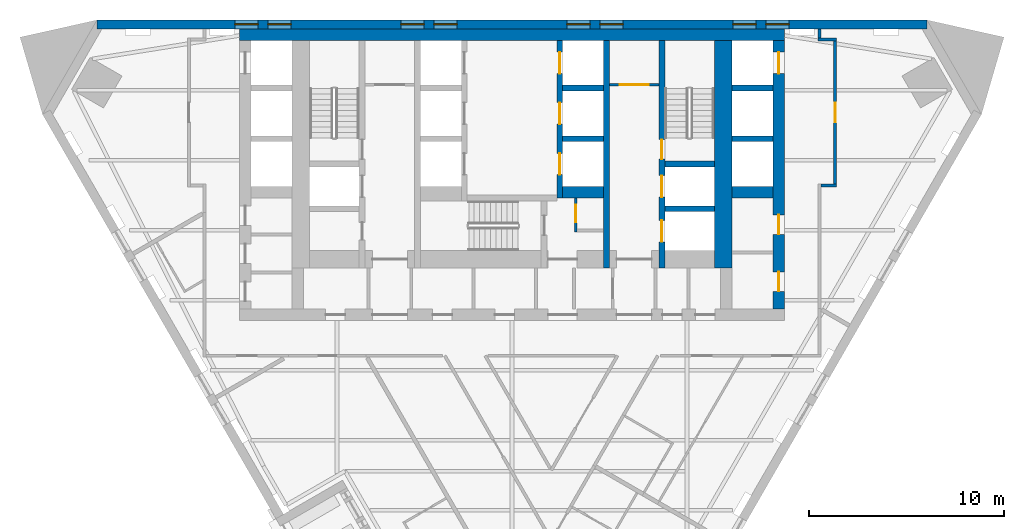
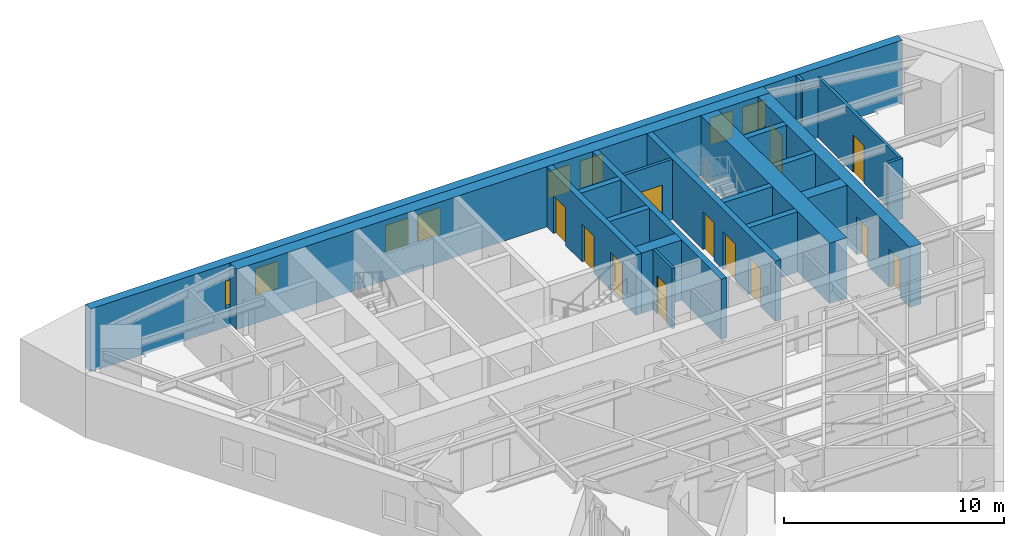
# One storey, part 6 of 9: 21 walls, 12 doors, 8 windows, 20 openings.
"""IFC4 building model written with IfcOpenShell, lengths in metres."""

from ifc_helpers import new_model, si_unit, direction, frame, frame_2d, origin, place, context, subcontext, project, spatial, polyline, rectangle, outline, extrude, material, layer, layer_set, type_object, element, fill, save


model = new_model("IFC4")

# Units and contexts
model_context = context("Model", 3, precision=1e-05, world=origin(), true_north=direction((0.0, 1.0)))
body_context = subcontext(model_context, "Body", "Model", "MODEL_VIEW")
ifc_project = project(units=[si_unit("LENGTHUNIT", "METRE"), si_unit("AREAUNIT", "SQUARE_METRE"), si_unit("VOLUMEUNIT", "CUBIC_METRE"), si_unit("PLANEANGLEUNIT", "RADIAN"), si_unit("MASSUNIT", "GRAM", prefix="KILO")], contexts=[model_context])

# Site, building, storey
site_placement = place(None, origin())
site = spatial("IfcSite", under=ifc_project, at=site_placement, CompositionType="ELEMENT")
building_placement = place(site_placement, origin())
building = spatial("IfcBuilding", under=site, at=building_placement, Name="Aloe Facet Convention Tower", CompositionType="ELEMENT")
storey_placement = place(building_placement, frame((0.0, 0.0, 99.300048828125)))
storey = spatial("IfcBuildingStorey", under=building, at=storey_placement, Name="L24", CompositionType="ELEMENT", Elevation=99.300048828125)

# Wall, opening, door
ifc_material_1 = material(Name="Concrete blockwork partition", Category="masonry")
ifc_layer_1 = layer(ifc_material_1, 0.14990234375)
ifc_layer_set_1 = layer_set([ifc_layer_1], Name="CR-W-PART150")
wall_type_1 = type_object("IfcWallType", Name="CR-W-PART150", PredefinedType="PARTITIONING", material=ifc_layer_set_1)
wall_1_placement = place(storey_placement, frame((83.27490234375, 125.85009765625, 0.0), z_axis=(0.0, 0.0, 1.0), x_axis=(0.0, -1.0, 0.0)))
wall_1 = element("IfcWall", 1, at=wall_1_placement, inside=storey, type_object=wall_type_1, Name="Core partition L24-035", PredefinedType="PARTITIONING", context=body_context, shape_type="SweptSolid", body=[
    extrude(rectangle(XDim=1.75, YDim=0.14990234375, at=frame_2d((0.875, 0.0))), origin(), (0.0, 0.0, 1.0), 3.349853515625),
])
opening_1_placement = place(wall_1_placement, frame((0.35009765625, 0.0, 0.0)))
opening_1 = element("IfcOpeningElement", 2, at=opening_1_placement, cuts=wall_1, Name="Opening L24-CD19", PredefinedType="OPENING", context=body_context, shape_type="SweptSolid", body=[
    extrude(rectangle(XDim=0.89990234375, YDim=2.10009765625, at=frame_2d((0.449951171875, 1.050048828125))), frame((0.0, 0.0849609375, 0.0), z_axis=(0.0, -1.0, 0.0), x_axis=(1.0, 0.0, 0.0)), (0.0, 0.0, 1.0), 0.169921875),
])
ifc_material_2 = material(Name="Steel fire-resisting door set FD60", Category="steel")
door_type_1 = type_object("IfcDoorType", Name="CR-D-REFUGE-900-FD60-SRIGHT", OperationType="SINGLE_SWING_RIGHT", PredefinedType="DOOR", material=ifc_material_2)
door_1_placement = place(opening_1_placement, origin())
door_1 = element("IfcDoor", 3, at=door_1_placement, inside=storey, type_object=door_type_1, Name="Core door L24-CD19", OperationType="SINGLE_SWING_RIGHT", OverallHeight=2.10009765625, OverallWidth=0.89990234375, PredefinedType="DOOR", context=body_context, shape_type="SweptSolid", body=[
    extrude(rectangle(XDim=0.89990234375, YDim=2.10009765625, at=frame_2d((0.449951171875, 1.050048828125))), frame((0.0, 0.02490234375, 0.0), z_axis=(0.0, -1.0, 0.0), x_axis=(1.0, 0.0, 0.0)), (0.0, 0.0, 1.0), 0.050048828125),
])
fill(opening_1, door_1)

wall_2_placement = place(storey_placement, frame((85.0, 131.675048828125, 0.0), z_axis=(0.0, 0.0, 1.0), x_axis=(1.0, 0.0, 0.0)))
wall_2 = element("IfcWall", 4, at=wall_2_placement, inside=storey, type_object=wall_type_1, Name="Core partition L24-038", PredefinedType="PARTITIONING", context=body_context, shape_type="SweptSolid", body=[
    extrude(rectangle(XDim=2.550048828125, YDim=0.14990234375, at=frame_2d((1.27490234375, 0.0))), origin(), (0.0, 0.0, 1.0), 3.349853515625),
])
opening_2_placement = place(wall_2_placement, frame((0.52490234375, 0.0, 0.0)))
opening_2 = element("IfcOpeningElement", 5, at=opening_2_placement, cuts=wall_2, Name="Opening L24-CD20", PredefinedType="OPENING", context=body_context, shape_type="SweptSolid", body=[
    extrude(rectangle(XDim=1.5, YDim=2.10009765625, at=frame_2d((0.75, 1.050048828125))), frame((0.0, 0.0849609375, 0.0), z_axis=(0.0, -1.0, 0.0), x_axis=(1.0, 0.0, 0.0)), (0.0, 0.0, 1.0), 0.169921875),
])
ifc_material_3 = material(Name="Steel fire-resisting door set FD60", Category="steel")
door_type_2 = type_object("IfcDoorType", Name="CR-D-REFUGE-1500-FD60-DD", OperationType="DOUBLE_DOOR_DOUBLE_SWING", PredefinedType="DOOR", material=ifc_material_3)
door_2_placement = place(opening_2_placement, origin())
door_2 = element("IfcDoor", 6, at=door_2_placement, inside=storey, type_object=door_type_2, Name="Core door L24-CD20", OperationType="DOUBLE_DOOR_DOUBLE_SWING", OverallHeight=2.10009765625, OverallWidth=1.5, PredefinedType="DOOR", context=body_context, shape_type="SweptSolid", body=[
    extrude(rectangle(XDim=1.5, YDim=2.10009765625, at=frame_2d((0.75, 1.050048828125))), frame((0.0, 0.02490234375, 0.0), z_axis=(0.0, -1.0, 0.0), x_axis=(1.0, 0.0, 0.0)), (0.0, 0.0, 1.0), 0.050048828125),
])
fill(opening_2, door_2)

# Wall, openings, doors
ifc_material_4 = material(Name="Concrete C70/85", Category="concrete")
ifc_layer_2 = layer(ifc_material_4, 0.300048828125)
ifc_layer_set_2 = layer_set([ifc_layer_2], Name="CR-W-RC300-C7085")
wall_type_2 = type_object("IfcWallType", Name="CR-W-RC300-C7085", PredefinedType="SOLIDWALL", material=ifc_layer_set_2)
wall_3_placement = place(storey_placement, frame((82.449951171875, 133.949951171875, 0.0), z_axis=(0.0, 0.0, 1.0), x_axis=(0.0, -1.0, 0.0)))
wall_3 = element("IfcWall", 7, at=wall_3_placement, inside=storey, type_object=wall_type_2, Name="Core wall L24-030", PredefinedType="SOLIDWALL", context=body_context, shape_type="SweptSolid", body=[
    extrude(rectangle(XDim=8.099853515625, YDim=0.300048828125, at=frame_2d((4.0498046875, 0.0))), origin(), (0.0, 0.0, 1.0), 3.349853515625),
])
opening_3_placement = place(wall_3_placement, frame((0.60009765625, 0.0, 0.0)))
opening_3 = element("IfcOpeningElement", 8, at=opening_3_placement, cuts=wall_3, Name="Opening LD-A4-L24", PredefinedType="OPENING", context=body_context, shape_type="SweptSolid", body=[
    extrude(rectangle(XDim=1.10009765625, YDim=2.10009765625, at=frame_2d((0.550048828125, 1.050048828125))), frame((0.0, 0.16015625, 0.0), z_axis=(0.0, -1.0, 0.0), x_axis=(1.0, 0.0, 0.0)), (0.0, 0.0, 1.0), 0.320068359375),
])
opening_4_placement = place(wall_3_placement, frame((3.199951171875, 0.0, 0.0)))
opening_4 = element("IfcOpeningElement", 9, at=opening_4_placement, cuts=wall_3, Name="Opening LD-A5-L24", PredefinedType="OPENING", context=body_context, shape_type="SweptSolid", body=[
    extrude(rectangle(XDim=1.10009765625, YDim=2.10009765625, at=frame_2d((0.550048828125, 1.050048828125))), frame((0.0, 0.16015625, 0.0), z_axis=(0.0, -1.0, 0.0), x_axis=(1.0, 0.0, 0.0)), (0.0, 0.0, 1.0), 0.320068359375),
])
opening_5_placement = place(wall_3_placement, frame((5.800048828125, 0.0, 0.0)))
opening_5 = element("IfcOpeningElement", 10, at=opening_5_placement, cuts=wall_3, Name="Opening LD-A6-L24", PredefinedType="OPENING", context=body_context, shape_type="SweptSolid", body=[
    extrude(rectangle(XDim=1.10009765625, YDim=2.10009765625, at=frame_2d((0.550048828125, 1.050048828125))), frame((0.0, 0.16015625, 0.0), z_axis=(0.0, -1.0, 0.0), x_axis=(1.0, 0.0, 0.0)), (0.0, 0.0, 1.0), 0.320068359375),
])
ifc_material_5 = material(Name="Stainless steel sliding landing door", Category="steel")
door_type_3 = type_object("IfcDoorType", Name="CR-LD-1100-FD60-_LEFT", OperationType="SLIDING_TO_LEFT", PredefinedType="DOOR", material=ifc_material_5)
door_3_placement = place(opening_3_placement, origin())
door_3 = element("IfcDoor", 11, at=door_3_placement, inside=storey, type_object=door_type_3, Name="Landing door A4 L24", OperationType="SLIDING_TO_LEFT", OverallHeight=2.10009765625, OverallWidth=1.10009765625, PredefinedType="DOOR", context=body_context, shape_type="SweptSolid", body=[
    extrude(rectangle(XDim=1.10009765625, YDim=2.10009765625, at=frame_2d((0.550048828125, 1.050048828125))), frame((0.0, 0.02490234375, 0.0), z_axis=(0.0, -1.0, 0.0), x_axis=(1.0, 0.0, 0.0)), (0.0, 0.0, 1.0), 0.050048828125),
])
fill(opening_3, door_3)
door_4_placement = place(opening_4_placement, origin())
door_4 = element("IfcDoor", 12, at=door_4_placement, inside=storey, type_object=door_type_3, Name="Landing door A5 L24", OperationType="SLIDING_TO_LEFT", OverallHeight=2.10009765625, OverallWidth=1.10009765625, PredefinedType="DOOR", context=body_context, shape_type="SweptSolid", body=[
    extrude(rectangle(XDim=1.10009765625, YDim=2.10009765625, at=frame_2d((0.550048828125, 1.050048828125))), frame((0.0, 0.02490234375, 0.0), z_axis=(0.0, -1.0, 0.0), x_axis=(1.0, 0.0, 0.0)), (0.0, 0.0, 1.0), 0.050048828125),
])
fill(opening_4, door_4)
door_5_placement = place(opening_5_placement, origin())
door_5 = element("IfcDoor", 13, at=door_5_placement, inside=storey, type_object=door_type_3, Name="Landing door A6 L24", OperationType="SLIDING_TO_LEFT", OverallHeight=2.10009765625, OverallWidth=1.10009765625, PredefinedType="DOOR", context=body_context, shape_type="SweptSolid", body=[
    extrude(rectangle(XDim=1.10009765625, YDim=2.10009765625, at=frame_2d((0.550048828125, 1.050048828125))), frame((0.0, 0.02490234375, 0.0), z_axis=(0.0, -1.0, 0.0), x_axis=(1.0, 0.0, 0.0)), (0.0, 0.0, 1.0), 0.050048828125),
])
fill(opening_5, door_5)

# Walls
for number, where, z_axis, x_axis, name in (
    (14, (82.60009765625, 131.5, 0.0), (0.0, 0.0, 1.0), (1.0, 0.0, 0.0), "Core wall L24-031"),
    (15, (82.60009765625, 128.89990234375, 0.0), (0.0, 0.0, 1.0), (1.0, 0.0, 0.0), "Core wall L24-032"),
):
    element("IfcWall", number, at=place(storey_placement, frame(where, z_axis=z_axis, x_axis=x_axis)), inside=storey, type_object=wall_type_2, Name=name, PredefinedType="SOLIDWALL", context=body_context, shape_type="SweptSolid", body=[
        extrude(rectangle(XDim=2.099853515625, YDim=0.300048828125, at=frame_2d((1.0498046875, 0.0))), origin(), (0.0, 0.0, 1.0), 3.349853515625),
    ])
wall_4_placement = place(storey_placement, frame((84.85009765625, 133.949951171875, 0.0), z_axis=(0.0, 0.0, 1.0), x_axis=(0.0, -1.0, 0.0)))
element("IfcWall", 16, at=wall_4_placement, inside=storey, type_object=wall_type_2, Name="Core wall L24-037", PredefinedType="SOLIDWALL", context=body_context, shape_type="SweptSolid", body=[
    extrude(rectangle(XDim=11.699951171875, YDim=0.300048828125, at=frame_2d((5.85009765625, 0.0))), origin(), (0.0, 0.0, 1.0), 3.349853515625),
])

# Wall, openings, doors
wall_5_placement = place(storey_placement, frame((87.699951171875, 133.949951171875, 0.0), z_axis=(0.0, 0.0, 1.0), x_axis=(0.0, -1.0, 0.0)))
wall_5 = element("IfcWall", 17, at=wall_5_placement, inside=storey, type_object=wall_type_2, Name="Core wall L24-042", PredefinedType="SOLIDWALL", context=body_context, shape_type="SweptSolid", body=[
    extrude(rectangle(XDim=11.699951171875, YDim=0.300048828125, at=frame_2d((5.85009765625, 0.0))), origin(), (0.0, 0.0, 1.0), 3.349853515625),
])
opening_6_placement = place(wall_5_placement, frame((6.949951171875, 0.0, 0.0)))
opening_6 = element("IfcOpeningElement", 18, at=opening_6_placement, cuts=wall_5, Name="Opening LD-FF2-L24", PredefinedType="OPENING", context=body_context, shape_type="SweptSolid", body=[
    extrude(rectangle(XDim=1.10009765625, YDim=2.10009765625, at=frame_2d((0.550048828125, 1.050048828125))), frame((0.0, 0.16015625, 0.0), z_axis=(0.0, -1.0, 0.0), x_axis=(1.0, 0.0, 0.0)), (0.0, 0.0, 1.0), 0.320068359375),
])
opening_7_placement = place(wall_5_placement, frame((5.10009765625, 0.0, 0.0)))
opening_7 = element("IfcOpeningElement", 19, at=opening_7_placement, cuts=wall_5, Name="Opening L24-CD30", PredefinedType="OPENING", context=body_context, shape_type="SweptSolid", body=[
    extrude(rectangle(XDim=1.0, YDim=2.10009765625, at=frame_2d((0.5, 1.050048828125))), frame((0.0, 0.16015625, 0.0), z_axis=(0.0, -1.0, 0.0), x_axis=(1.0, 0.0, 0.0)), (0.0, 0.0, 1.0), 0.320068359375),
])
opening_8_placement = place(wall_5_placement, frame((9.25, 0.0, 0.0)))
opening_8 = element("IfcOpeningElement", 20, at=opening_8_placement, cuts=wall_5, Name="Opening LD-SV1-L24", PredefinedType="OPENING", context=body_context, shape_type="SweptSolid", body=[
    extrude(rectangle(XDim=1.10009765625, YDim=2.10009765625, at=frame_2d((0.550048828125, 1.050048828125))), frame((0.0, 0.16015625, 0.0), z_axis=(0.0, -1.0, 0.0), x_axis=(1.0, 0.0, 0.0)), (0.0, 0.0, 1.0), 0.320068359375),
])
ifc_material_6 = material(Name="Steel fire-resisting door set FD120", Category="steel")
door_type_4 = type_object("IfcDoorType", Name="CR-D-STAIR-1000-FD120-SLEFT", OperationType="SINGLE_SWING_LEFT", PredefinedType="DOOR", material=ifc_material_6)
door_6_placement = place(opening_7_placement, origin())
door_6 = element("IfcDoor", 21, at=door_6_placement, inside=storey, type_object=door_type_4, Name="Core door L24-CD30", OperationType="SINGLE_SWING_LEFT", OverallHeight=2.10009765625, OverallWidth=1.0, PredefinedType="DOOR", context=body_context, shape_type="SweptSolid", body=[
    extrude(rectangle(XDim=1.0, YDim=2.10009765625, at=frame_2d((0.5, 1.050048828125))), frame((0.0, 0.02490234375, 0.0), z_axis=(0.0, -1.0, 0.0), x_axis=(1.0, 0.0, 0.0)), (0.0, 0.0, 1.0), 0.050048828125),
])
fill(opening_7, door_6)
ifc_material_7 = material(Name="Stainless steel sliding landing door", Category="steel")
door_type_5 = type_object("IfcDoorType", Name="CR-LD-1100-FD120-_LEFT", OperationType="SLIDING_TO_LEFT", PredefinedType="DOOR", material=ifc_material_7)
door_7_placement = place(opening_6_placement, origin())
door_7 = element("IfcDoor", 22, at=door_7_placement, inside=storey, type_object=door_type_5, Name="Landing door FF2 L24", OperationType="SLIDING_TO_LEFT", OverallHeight=2.10009765625, OverallWidth=1.10009765625, PredefinedType="DOOR", context=body_context, shape_type="SweptSolid", body=[
    extrude(rectangle(XDim=1.10009765625, YDim=2.10009765625, at=frame_2d((0.550048828125, 1.050048828125))), frame((0.0, 0.02490234375, 0.0), z_axis=(0.0, -1.0, 0.0), x_axis=(1.0, 0.0, 0.0)), (0.0, 0.0, 1.0), 0.050048828125),
])
fill(opening_6, door_7)
door_8_placement = place(opening_8_placement, origin())
door_8 = element("IfcDoor", 23, at=door_8_placement, inside=storey, type_object=door_type_5, Name="Landing door SV1 L24", OperationType="SLIDING_TO_LEFT", OverallHeight=2.10009765625, OverallWidth=1.10009765625, PredefinedType="DOOR", context=body_context, shape_type="SweptSolid", body=[
    extrude(rectangle(XDim=1.10009765625, YDim=2.10009765625, at=frame_2d((0.550048828125, 1.050048828125))), frame((0.0, 0.02490234375, 0.0), z_axis=(0.0, -1.0, 0.0), x_axis=(1.0, 0.0, 0.0)), (0.0, 0.0, 1.0), 0.050048828125),
])
fill(opening_8, door_8)

# Walls
for number, where, z_axis, x_axis, name in (
    (24, (87.85009765625, 127.60009765625, 0.0), (0.0, 0.0, 1.0), (1.0, 0.0, 0.0), "Core wall L24-043"),
    (25, (87.85009765625, 125.300048828125, 0.0), (0.0, 0.0, 1.0), (1.0, 0.0, 0.0), "Core wall L24-044"),
):
    element("IfcWall", number, at=place(storey_placement, frame(where, z_axis=z_axis, x_axis=x_axis)), inside=storey, type_object=wall_type_2, Name=name, PredefinedType="SOLIDWALL", context=body_context, shape_type="SweptSolid", body=[
        extrude(rectangle(XDim=2.5498046875, YDim=0.300048828125, at=frame_2d((1.27490234375, 0.0))), origin(), (0.0, 0.0, 1.0), 3.349853515625),
    ])
for number, where, z_axis, x_axis, name in (
    (26, (91.300048828125, 131.5, 0.0), (0.0, 0.0, 1.0), (1.0, 0.0, 0.0), "Core wall L24-049"),
    (27, (91.300048828125, 128.89990234375, 0.0), (0.0, 0.0, 1.0), (1.0, 0.0, 0.0), "Core wall L24-050"),
):
    element("IfcWall", number, at=place(storey_placement, frame(where, z_axis=z_axis, x_axis=x_axis)), inside=storey, type_object=wall_type_2, Name=name, PredefinedType="SOLIDWALL", context=body_context, shape_type="SweptSolid", body=[
        extrude(rectangle(XDim=2.099853515625, YDim=0.300048828125, at=frame_2d((1.0498046875, 0.0))), origin(), (0.0, 0.0, 1.0), 3.349853515625),
    ])
ifc_material_8 = material(Name="Concrete C70/85", Category="concrete")
ifc_layer_3 = layer(ifc_material_8, 0.60009765625)
ifc_layer_set_3 = layer_set([ifc_layer_3], Name="CR-W-RC600-C7085")
wall_type_3 = type_object("IfcWallType", Name="CR-W-RC600-C7085", PredefinedType="SOLIDWALL", material=ifc_layer_set_3)
wall_6_placement = place(storey_placement, frame((66.0, 134.25, 0.0), z_axis=(0.0, 0.0, 1.0), x_axis=(1.0, 0.0, 0.0)))
element("IfcWall", 28, at=wall_6_placement, inside=storey, type_object=wall_type_3, Name="Core wall L24-001", PredefinedType="SOLIDWALL", context=body_context, shape_type="SweptSolid", body=[
    extrude(rectangle(XDim=28.0, YDim=0.60009765625, at=frame_2d((14.0, 0.0))), origin(), (0.0, 0.0, 1.0), 3.349853515625),
])
for number, where, z_axis, x_axis, name in (
    (29, (82.60009765625, 126.14990234375, 0.0), (0.0, 0.0, 1.0), (1.0, 0.0, 0.0), "Core wall L24-033"),
    (30, (91.300048828125, 126.14990234375, 0.0), (0.0, 0.0, 1.0), (1.0, 0.0, 0.0), "Core wall L24-051"),
):
    element("IfcWall", number, at=place(storey_placement, frame(where, z_axis=z_axis, x_axis=x_axis)), inside=storey, type_object=wall_type_3, Name=name, PredefinedType="SOLIDWALL", context=body_context, shape_type="SweptSolid", body=[
        extrude(rectangle(XDim=2.099853515625, YDim=0.60009765625, at=frame_2d((1.0498046875, 0.0))), origin(), (0.0, 0.0, 1.0), 3.349853515625),
    ])

# Wall, openings, doors
wall_7_placement = place(storey_placement, frame((93.699951171875, 133.949951171875, 0.0), z_axis=(0.0, 0.0, 1.0), x_axis=(0.0, -1.0, 0.0)))
wall_7 = element("IfcWall", 31, at=wall_7_placement, inside=storey, type_object=wall_type_3, Name="Core wall L24-053", PredefinedType="SOLIDWALL", context=body_context, shape_type="SweptSolid", body=[
    extrude(rectangle(XDim=13.800048828125, YDim=0.60009765625, at=frame_2d((6.89990234375, 0.0))), origin(), (0.0, 0.0, 1.0), 3.349853515625),
])
opening_9_placement = place(wall_7_placement, frame((0.60009765625, 0.0, 0.0)))
opening_9 = element("IfcOpeningElement", 32, at=opening_9_placement, cuts=wall_7, Name="Opening LD-A8-L24", PredefinedType="OPENING", context=body_context, shape_type="SweptSolid", body=[
    extrude(rectangle(XDim=1.10009765625, YDim=2.10009765625, at=frame_2d((0.550048828125, 1.050048828125))), frame((0.0, 0.31005859375, 0.0), z_axis=(0.0, -1.0, 0.0), x_axis=(1.0, 0.0, 0.0)), (0.0, 0.0, 1.0), 0.6201171875),
])
opening_10_placement = place(wall_7_placement, frame((8.963134765625, 0.0, 0.0)))
opening_10 = element("IfcOpeningElement", 33, at=opening_10_placement, cuts=wall_7, Name="Opening L24-CD09", PredefinedType="OPENING", context=body_context, shape_type="SweptSolid", body=[
    extrude(rectangle(XDim=1.0, YDim=2.10009765625, at=frame_2d((0.5, 1.050048828125))), frame((0.0, 0.31005859375, 0.0), z_axis=(0.0, -1.0, 0.0), x_axis=(1.0, 0.0, 0.0)), (0.0, 0.0, 1.0), 0.6201171875),
])
opening_11_placement = place(wall_7_placement, frame((11.88818359375, 0.0, 0.0)))
opening_11 = element("IfcOpeningElement", 34, at=opening_11_placement, cuts=wall_7, Name="Opening L24-CD10", PredefinedType="OPENING", context=body_context, shape_type="SweptSolid", body=[
    extrude(rectangle(XDim=1.0, YDim=2.10009765625, at=frame_2d((0.5, 1.050048828125))), frame((0.0, 0.31005859375, 0.0), z_axis=(0.0, -1.0, 0.0), x_axis=(1.0, 0.0, 0.0)), (0.0, 0.0, 1.0), 0.6201171875),
])
ifc_material_9 = material(Name="Steel fire-resisting door set FD60", Category="steel")
door_type_6 = type_object("IfcDoorType", Name="CR-D-ROOM-1000-FD60-SLEFT", OperationType="SINGLE_SWING_LEFT", PredefinedType="DOOR", material=ifc_material_9)
door_9_placement = place(opening_10_placement, origin())
door_9 = element("IfcDoor", 35, at=door_9_placement, inside=storey, type_object=door_type_6, Name="Core door L24-CD09", OperationType="SINGLE_SWING_LEFT", OverallHeight=2.10009765625, OverallWidth=1.0, PredefinedType="DOOR", context=body_context, shape_type="SweptSolid", body=[
    extrude(rectangle(XDim=1.0, YDim=2.10009765625, at=frame_2d((0.5, 1.050048828125))), frame((0.0, 0.02490234375, 0.0), z_axis=(0.0, -1.0, 0.0), x_axis=(1.0, 0.0, 0.0)), (0.0, 0.0, 1.0), 0.050048828125),
])
fill(opening_10, door_9)
door_10_placement = place(opening_11_placement, origin())
door_10 = element("IfcDoor", 36, at=door_10_placement, inside=storey, type_object=door_type_6, Name="Core door L24-CD10", OperationType="SINGLE_SWING_LEFT", OverallHeight=2.10009765625, OverallWidth=1.0, PredefinedType="DOOR", context=body_context, shape_type="SweptSolid", body=[
    extrude(rectangle(XDim=1.0, YDim=2.10009765625, at=frame_2d((0.5, 1.050048828125))), frame((0.0, 0.02490234375, 0.0), z_axis=(0.0, -1.0, 0.0), x_axis=(1.0, 0.0, 0.0)), (0.0, 0.0, 1.0), 0.050048828125),
])
fill(opening_11, door_10)
door_11_placement = place(opening_9_placement, origin())
door_11 = element("IfcDoor", 37, at=door_11_placement, inside=storey, type_object=door_type_3, Name="Landing door A8 L24", OperationType="SLIDING_TO_LEFT", OverallHeight=2.10009765625, OverallWidth=1.10009765625, PredefinedType="DOOR", context=body_context, shape_type="SweptSolid", body=[
    extrude(rectangle(XDim=1.10009765625, YDim=2.10009765625, at=frame_2d((0.550048828125, 1.050048828125))), frame((0.0, 0.02490234375, 0.0), z_axis=(0.0, -1.0, 0.0), x_axis=(1.0, 0.0, 0.0)), (0.0, 0.0, 1.0), 0.050048828125),
])
fill(opening_9, door_11)

# Wall
ifc_material_10 = material(Name="Concrete C70/85", Category="concrete")
ifc_layer_4 = layer(ifc_material_10, 0.89990234375)
ifc_layer_set_4 = layer_set([ifc_layer_4], Name="CR-W-RC900-C7085")
wall_type_4 = type_object("IfcWallType", Name="CR-W-RC900-C7085", PredefinedType="SOLIDWALL", material=ifc_layer_set_4)
wall_8_placement = place(storey_placement, frame((90.85009765625, 133.949951171875, 0.0), z_axis=(0.0, 0.0, 1.0), x_axis=(0.0, -1.0, 0.0)))
element("IfcWall", 38, at=wall_8_placement, inside=storey, type_object=wall_type_4, Name="Core wall L24-047", PredefinedType="SOLIDWALL", context=body_context, shape_type="SweptSolid", body=[
    extrude(rectangle(XDim=11.699951171875, YDim=0.89990234375, at=frame_2d((5.85009765625, 0.0))), origin(), (0.0, 0.0, 1.0), 3.349853515625),
])

# Wall, openings, windows
ifc_material_11 = material(Name="Precast concrete C40/50", Category="concrete")
ifc_layer_5 = layer(ifc_material_11, 0.449951171875)
ifc_layer_set_5 = layer_set([ifc_layer_5], Name="EV-WALL-STONE")
wall_type_5 = type_object("IfcWallType", Name="EV-WALL-STONE", PredefinedType="SOLIDWALL", material=ifc_layer_set_5)
wall_9_placement = place(storey_placement, frame((101.321533203125, 134.77490234375, -0.150146484375), z_axis=(0.0, 0.0, 1.0), x_axis=(-1.0, 0.0, 0.0)))
wall_9 = element("IfcWall", 39, at=wall_9_placement, inside=storey, type_object=wall_type_5, Name="EW-L24-N01", PredefinedType="SOLIDWALL", context=body_context, shape_type="SweptSolid", body=[
    extrude(outline(polyline([(42.64306640625, 0.0), (42.64306640625, 3.5), (0.0, 3.5), (0.0, 0.0), (42.64306640625, 0.0)])), frame((0.0, 0.22509765625, 0.0), z_axis=(0.0, -1.0, 0.0), x_axis=(1.0, 0.0, 0.0)), (0.0, 0.0, 1.0), 0.449951171875),
])
opening_12_placement = place(wall_9_placement, frame((7.07861328125, 0.0, 1.050048828125)))
opening_12 = element("IfcOpeningElement", 40, at=opening_12_placement, cuts=wall_9, Name="Opening W-L24-N01", PredefinedType="OPENING", context=body_context, shape_type="SweptSolid", body=[
    extrude(rectangle(XDim=1.199951171875, YDim=1.5, at=frame_2d((0.60009765625, 0.75))), frame((0.0, 0.23486328125, 0.0), z_axis=(0.0, -1.0, 0.0), x_axis=(1.0, 0.0, 0.0)), (0.0, 0.0, 1.0), 0.469970703125),
])
opening_13_placement = place(wall_9_placement, frame((8.778564453125, 0.0, 1.050048828125)))
opening_13 = element("IfcOpeningElement", 41, at=opening_13_placement, cuts=wall_9, Name="Opening W-L24-N02", PredefinedType="OPENING", context=body_context, shape_type="SweptSolid", body=[
    extrude(rectangle(XDim=1.199951171875, YDim=1.5, at=frame_2d((0.60009765625, 0.75))), frame((0.0, 0.23486328125, 0.0), z_axis=(0.0, -1.0, 0.0), x_axis=(1.0, 0.0, 0.0)), (0.0, 0.0, 1.0), 0.469970703125),
])
opening_14_placement = place(wall_9_placement, frame((15.607177734375, 0.0, 1.050048828125)))
opening_14 = element("IfcOpeningElement", 42, at=opening_14_placement, cuts=wall_9, Name="Opening W-L24-N03", PredefinedType="OPENING", context=body_context, shape_type="SweptSolid", body=[
    extrude(rectangle(XDim=1.199951171875, YDim=1.5, at=frame_2d((0.60009765625, 0.75))), frame((0.0, 0.23486328125, 0.0), z_axis=(0.0, -1.0, 0.0), x_axis=(1.0, 0.0, 0.0)), (0.0, 0.0, 1.0), 0.469970703125),
])
opening_15_placement = place(wall_9_placement, frame((17.30712890625, 0.0, 1.050048828125)))
opening_15 = element("IfcOpeningElement", 43, at=opening_15_placement, cuts=wall_9, Name="Opening W-L24-N04", PredefinedType="OPENING", context=body_context, shape_type="SweptSolid", body=[
    extrude(rectangle(XDim=1.199951171875, YDim=1.5, at=frame_2d((0.60009765625, 0.75))), frame((0.0, 0.23486328125, 0.0), z_axis=(0.0, -1.0, 0.0), x_axis=(1.0, 0.0, 0.0)), (0.0, 0.0, 1.0), 0.469970703125),
])
opening_16_placement = place(wall_9_placement, frame((24.1357421875, 0.0, 1.050048828125)))
opening_16 = element("IfcOpeningElement", 44, at=opening_16_placement, cuts=wall_9, Name="Opening W-L24-N05", PredefinedType="OPENING", context=body_context, shape_type="SweptSolid", body=[
    extrude(rectangle(XDim=1.199951171875, YDim=1.5, at=frame_2d((0.60009765625, 0.75))), frame((0.0, 0.23486328125, 0.0), z_axis=(0.0, -1.0, 0.0), x_axis=(1.0, 0.0, 0.0)), (0.0, 0.0, 1.0), 0.469970703125),
])
opening_17_placement = place(wall_9_placement, frame((25.8359375, 0.0, 1.050048828125)))
opening_17 = element("IfcOpeningElement", 45, at=opening_17_placement, cuts=wall_9, Name="Opening W-L24-N06", PredefinedType="OPENING", context=body_context, shape_type="SweptSolid", body=[
    extrude(rectangle(XDim=1.199951171875, YDim=1.5, at=frame_2d((0.60009765625, 0.75))), frame((0.0, 0.23486328125, 0.0), z_axis=(0.0, -1.0, 0.0), x_axis=(1.0, 0.0, 0.0)), (0.0, 0.0, 1.0), 0.469970703125),
])
opening_18_placement = place(wall_9_placement, frame((32.66455078125, 0.0, 1.050048828125)))
opening_18 = element("IfcOpeningElement", 46, at=opening_18_placement, cuts=wall_9, Name="Opening W-L24-N07", PredefinedType="OPENING", context=body_context, shape_type="SweptSolid", body=[
    extrude(rectangle(XDim=1.199951171875, YDim=1.5, at=frame_2d((0.60009765625, 0.75))), frame((0.0, 0.23486328125, 0.0), z_axis=(0.0, -1.0, 0.0), x_axis=(1.0, 0.0, 0.0)), (0.0, 0.0, 1.0), 0.469970703125),
])
opening_19_placement = place(wall_9_placement, frame((34.364501953125, 0.0, 1.050048828125)))
opening_19 = element("IfcOpeningElement", 47, at=opening_19_placement, cuts=wall_9, Name="Opening W-L24-N08", PredefinedType="OPENING", context=body_context, shape_type="SweptSolid", body=[
    extrude(rectangle(XDim=1.199951171875, YDim=1.5, at=frame_2d((0.60009765625, 0.75))), frame((0.0, 0.23486328125, 0.0), z_axis=(0.0, -1.0, 0.0), x_axis=(1.0, 0.0, 0.0)), (0.0, 0.0, 1.0), 0.469970703125),
])
ifc_material_12 = material(Name="Aluminium frame, clear double glazing", Category="aluminium")
window_type = type_object("IfcWindowType", Name="EV-WIN-H12", PartitioningType="SINGLE_PANEL", PredefinedType="WINDOW", material=ifc_material_12)
window_1_placement = place(opening_12_placement, origin())
window_1 = element("IfcWindow", 48, at=window_1_placement, inside=storey, type_object=window_type, Name="W-L24-N01", OverallHeight=1.5, OverallWidth=1.199951171875, PartitioningType="SINGLE_PANEL", PredefinedType="WINDOW", context=body_context, shape_type="SweptSolid", body=[
    extrude(rectangle(XDim=1.199951171875, YDim=1.5, at=frame_2d((0.60009765625, 0.75))), frame((0.0, 0.030029296875, 0.0), z_axis=(0.0, -1.0, 0.0), x_axis=(1.0, 0.0, 0.0)), (0.0, 0.0, 1.0), 0.06005859375),
])
fill(opening_12, window_1)
window_2_placement = place(opening_13_placement, origin())
window_2 = element("IfcWindow", 49, at=window_2_placement, inside=storey, type_object=window_type, Name="W-L24-N02", OverallHeight=1.5, OverallWidth=1.199951171875, PartitioningType="SINGLE_PANEL", PredefinedType="WINDOW", context=body_context, shape_type="SweptSolid", body=[
    extrude(rectangle(XDim=1.199951171875, YDim=1.5, at=frame_2d((0.60009765625, 0.75))), frame((0.0, 0.030029296875, 0.0), z_axis=(0.0, -1.0, 0.0), x_axis=(1.0, 0.0, 0.0)), (0.0, 0.0, 1.0), 0.06005859375),
])
fill(opening_13, window_2)
window_3_placement = place(opening_14_placement, origin())
window_3 = element("IfcWindow", 50, at=window_3_placement, inside=storey, type_object=window_type, Name="W-L24-N03", OverallHeight=1.5, OverallWidth=1.199951171875, PartitioningType="SINGLE_PANEL", PredefinedType="WINDOW", context=body_context, shape_type="SweptSolid", body=[
    extrude(rectangle(XDim=1.199951171875, YDim=1.5, at=frame_2d((0.60009765625, 0.75))), frame((0.0, 0.030029296875, 0.0), z_axis=(0.0, -1.0, 0.0), x_axis=(1.0, 0.0, 0.0)), (0.0, 0.0, 1.0), 0.06005859375),
])
fill(opening_14, window_3)
window_4_placement = place(opening_15_placement, origin())
window_4 = element("IfcWindow", 51, at=window_4_placement, inside=storey, type_object=window_type, Name="W-L24-N04", OverallHeight=1.5, OverallWidth=1.199951171875, PartitioningType="SINGLE_PANEL", PredefinedType="WINDOW", context=body_context, shape_type="SweptSolid", body=[
    extrude(rectangle(XDim=1.199951171875, YDim=1.5, at=frame_2d((0.60009765625, 0.75))), frame((0.0, 0.030029296875, 0.0), z_axis=(0.0, -1.0, 0.0), x_axis=(1.0, 0.0, 0.0)), (0.0, 0.0, 1.0), 0.06005859375),
])
fill(opening_15, window_4)
window_5_placement = place(opening_16_placement, origin())
window_5 = element("IfcWindow", 52, at=window_5_placement, inside=storey, type_object=window_type, Name="W-L24-N05", OverallHeight=1.5, OverallWidth=1.199951171875, PartitioningType="SINGLE_PANEL", PredefinedType="WINDOW", context=body_context, shape_type="SweptSolid", body=[
    extrude(rectangle(XDim=1.199951171875, YDim=1.5, at=frame_2d((0.60009765625, 0.75))), frame((0.0, 0.030029296875, 0.0), z_axis=(0.0, -1.0, 0.0), x_axis=(1.0, 0.0, 0.0)), (0.0, 0.0, 1.0), 0.06005859375),
])
fill(opening_16, window_5)
window_6_placement = place(opening_17_placement, origin())
window_6 = element("IfcWindow", 53, at=window_6_placement, inside=storey, type_object=window_type, Name="W-L24-N06", OverallHeight=1.5, OverallWidth=1.199951171875, PartitioningType="SINGLE_PANEL", PredefinedType="WINDOW", context=body_context, shape_type="SweptSolid", body=[
    extrude(rectangle(XDim=1.199951171875, YDim=1.5, at=frame_2d((0.60009765625, 0.75))), frame((0.0, 0.030029296875, 0.0), z_axis=(0.0, -1.0, 0.0), x_axis=(1.0, 0.0, 0.0)), (0.0, 0.0, 1.0), 0.06005859375),
])
fill(opening_17, window_6)
window_7_placement = place(opening_18_placement, origin())
window_7 = element("IfcWindow", 54, at=window_7_placement, inside=storey, type_object=window_type, Name="W-L24-N07", OverallHeight=1.5, OverallWidth=1.199951171875, PartitioningType="SINGLE_PANEL", PredefinedType="WINDOW", context=body_context, shape_type="SweptSolid", body=[
    extrude(rectangle(XDim=1.199951171875, YDim=1.5, at=frame_2d((0.60009765625, 0.75))), frame((0.0, 0.030029296875, 0.0), z_axis=(0.0, -1.0, 0.0), x_axis=(1.0, 0.0, 0.0)), (0.0, 0.0, 1.0), 0.06005859375),
])
fill(opening_18, window_7)
window_8_placement = place(opening_19_placement, origin())
window_8 = element("IfcWindow", 55, at=window_8_placement, inside=storey, type_object=window_type, Name="W-L24-N08", OverallHeight=1.5, OverallWidth=1.199951171875, PartitioningType="SINGLE_PANEL", PredefinedType="WINDOW", context=body_context, shape_type="SweptSolid", body=[
    extrude(rectangle(XDim=1.199951171875, YDim=1.5, at=frame_2d((0.60009765625, 0.75))), frame((0.0, 0.030029296875, 0.0), z_axis=(0.0, -1.0, 0.0), x_axis=(1.0, 0.0, 0.0)), (0.0, 0.0, 1.0), 0.06005859375),
])
fill(opening_19, window_8)

# Walls
ifc_material_13 = material(Name="Gypsum board partition on steel studs", Category="steel")
ifc_layer_6 = layer(ifc_material_13, 0.14990234375)
ifc_layer_set_6 = layer_set([ifc_layer_6], Name="IN-W-CORR")
wall_type_6 = type_object("IfcWallType", Name="IN-W-CORR", PredefinedType="PARTITIONING", material=ifc_layer_set_6)
wall_10_placement = place(storey_placement, frame((95.875, 126.5, 0.0), z_axis=(0.0, 0.0, 1.0), x_axis=(1.0, 0.0, 0.0)))
element("IfcWall", 56, at=wall_10_placement, inside=storey, type_object=wall_type_6, Name="Partition L24-W047", PredefinedType="PARTITIONING", context=body_context, shape_type="SweptSolid", body=[
    extrude(rectangle(XDim=0.800048828125, YDim=0.14990234375, at=frame_2d((0.39990234375, 0.0))), origin(), (0.0, 0.0, 1.0), 3.349853515625),
])
wall_11_placement = place(storey_placement, frame((95.72509765625, 134.0, 0.0), z_axis=(0.0, 0.0, 1.0), x_axis=(1.0, 0.0, 0.0)))
element("IfcWall", 57, at=wall_11_placement, inside=storey, type_object=wall_type_6, Name="Partition L24-W050", PredefinedType="PARTITIONING", context=body_context, shape_type="SweptSolid", body=[
    extrude(rectangle(XDim=0.949951171875, YDim=0.14990234375, at=frame_2d((0.47509765625, 0.0))), origin(), (0.0, 0.0, 1.0), 2.886474609375),
])

# Wall, opening, door
wall_12_placement = place(storey_placement, frame((96.60009765625, 126.574951171875, 0.0), z_axis=(0.0, 0.0, 1.0), x_axis=(0.0, 1.0, 0.0)))
wall_12 = element("IfcWall", 58, at=wall_12_placement, inside=storey, type_object=wall_type_6, Name="Partition L24-W051", PredefinedType="PARTITIONING", context=body_context, shape_type="SweptSolid", body=[
    extrude(rectangle(XDim=7.35009765625, YDim=0.14990234375, at=frame_2d((3.675048828125, 0.0))), origin(), (0.0, 0.0, 1.0), 3.349853515625),
])
opening_20_placement = place(wall_12_placement, frame((3.175048828125, 0.0, 0.0)))
opening_20 = element("IfcOpeningElement", 59, at=opening_20_placement, cuts=wall_12, Name="Opening L24-007", PredefinedType="OPENING", context=body_context, shape_type="SweptSolid", body=[
    extrude(rectangle(XDim=1.0, YDim=2.10009765625, at=frame_2d((0.5, 1.050048828125))), frame((0.0, 0.0849609375, 0.0), z_axis=(0.0, -1.0, 0.0), x_axis=(1.0, 0.0, 0.0)), (0.0, 0.0, 1.0), 0.169921875),
])
ifc_material_14 = material(Name="Hardwood flush door FD30S", Category="wood")
door_type_7 = type_object("IfcDoorType", Name="IN-D-WIDE", OperationType="SINGLE_SWING_LEFT", PredefinedType="DOOR", material=ifc_material_14)
door_12_placement = place(opening_20_placement, origin())
door_12 = element("IfcDoor", 60, at=door_12_placement, inside=storey, type_object=door_type_7, Name="Door L24-007", OperationType="SINGLE_SWING_LEFT", OverallHeight=2.10009765625, OverallWidth=1.0, PredefinedType="DOOR", context=body_context, shape_type="SweptSolid", body=[
    extrude(rectangle(XDim=1.0, YDim=2.10009765625, at=frame_2d((0.5, 1.050048828125))), frame((0.0, 0.02490234375, 0.0), z_axis=(0.0, -1.0, 0.0), x_axis=(1.0, 0.0, 0.0)), (0.0, 0.0, 1.0), 0.050048828125),
])
fill(opening_20, door_12)

# Wall
wall_13_placement = place(storey_placement, frame((95.800048828125, 134.074951171875, 0.0), z_axis=(0.0, 0.0, 1.0), x_axis=(0.0, 1.0, 0.0)))
element("IfcWall", 61, at=wall_13_placement, inside=storey, type_object=wall_type_6, Name="Partition L24-W052", PredefinedType="PARTITIONING", context=body_context, shape_type="SweptSolid", body=[
    extrude(rectangle(XDim=0.465087890625, YDim=0.14990234375, at=frame_2d((0.232421875, 0.0))), origin(), (0.0, 0.0, 1.0), 3.349853515625),
])

save(model, "model.ifc")
